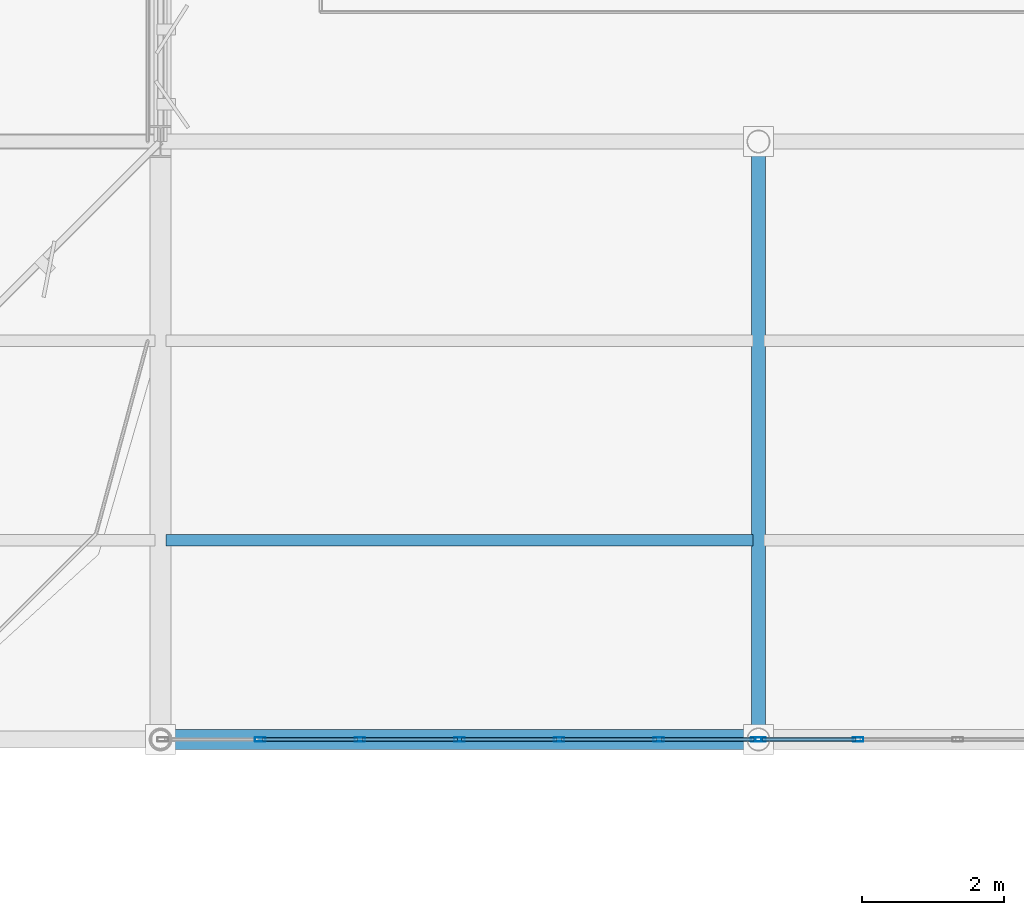
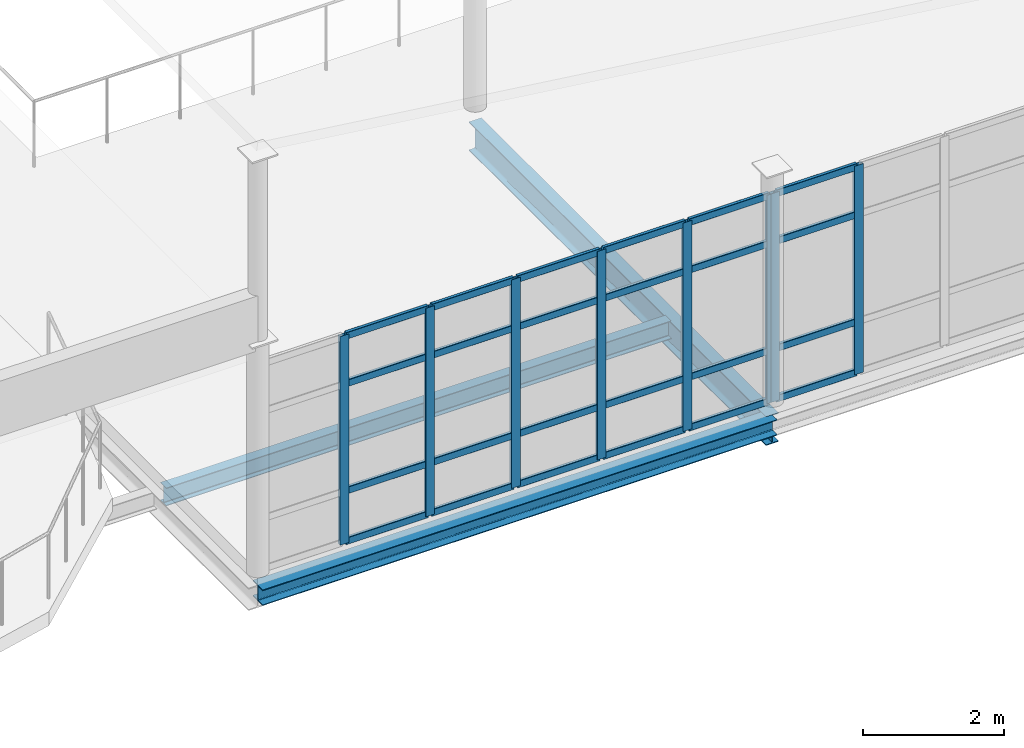
# One storey, part 36 of 65: 32 members, 3 beams, 2 elements without a shape of their own.
"""IFC4 building model written with IfcOpenShell, lengths in metres."""

import ifcopenshell
import ifcopenshell.guid

model = None  # the IFC model being written
_history = None  # IfcOwnerHistory: only IFC2X3 demands one
_inside = {}  # id of a spatial element -> (the spatial element, [elements in it])
_under = {}  # id of a project, library or spatial element -> (it, [spatial elements below it])
_declared = {}  # id of a project -> (the project, [libraries it declares])
_typed = {}  # id of a type object -> (the type object, [elements of that type])
_made_of = {}  # id of a material, layer set ... -> (it, [elements and type objects made of it])


def new_model(schema):
    """Start an empty IFC model of exactly this schema.

    Asked for "IFC4X3", IfcOpenShell would pick the latest addendum, in which some entities
    have other attributes; the version numbers below select the first issue.
    IFC2X3 requires an IfcOwnerHistory on every rooted entity: one is made here for all.
    """
    global model, _history
    if schema == "IFC4X3":
        model = ifcopenshell.file(schema_version=(4, 3, 0, 0))
    else:
        model = ifcopenshell.file(schema=schema)
    _inside.clear()
    _under.clear()
    _declared.clear()
    _typed.clear()
    _made_of.clear()
    _history = None
    if model.schema == "IFC2X3":
        org = make("IfcOrganization", Name="unknown")
        user = make(
            "IfcPersonAndOrganization",
            ThePerson=make("IfcPerson", FamilyName="unknown"),
            TheOrganization=org,
        )
        app = make(
            "IfcApplication",
            ApplicationDeveloper=org,
            Version="unknown",
            ApplicationFullName="unknown",
            ApplicationIdentifier="unknown",
        )
        _history = make(
            "IfcOwnerHistory",
            OwningUser=user,
            OwningApplication=app,
            ChangeAction="ADDED",
            CreationDate=0,
        )
    return model


def make(cls, **values):
    """One entity of the class cls with the attributes given. An attribute that is None is left unset."""
    return model.create_entity(
        cls, **{name: value for name, value in values.items() if value is not None}
    )


def rooted(cls, **values):
    """An entity with a GlobalId (a new one), such as an element, a storey or a relation."""
    return make(cls, GlobalId=ifcopenshell.guid.new(), OwnerHistory=_history, **values)


def si_unit(unit_type, name, prefix=None):
    """IfcSIUnit, for example si_unit("LENGTHUNIT", "METRE", prefix="MILLI")."""
    return make("IfcSIUnit", UnitType=unit_type, Prefix=prefix, Name=name)


def assignment(units):
    """IfcUnitAssignment: the units of a project."""
    return None if units is None else make("IfcUnitAssignment", Units=units)


def point(xyz):
    """IfcCartesianPoint."""
    return None if xyz is None else make("IfcCartesianPoint", Coordinates=xyz)


def direction(xyz):
    """IfcDirection."""
    return None if xyz is None else make("IfcDirection", DirectionRatios=xyz)


def frame(location, z_axis=None, x_axis=None):
    """IfcAxis2Placement3D, a coordinate frame: its origin and axes. An axis left out is left unset."""
    return make(
        "IfcAxis2Placement3D",
        Location=point(location),
        Axis=direction(z_axis),
        RefDirection=direction(x_axis),
    )


def frame_2d(location, x_axis=None):
    """IfcAxis2Placement2D, a coordinate frame in the plane: its origin and x axis."""
    return make(
        "IfcAxis2Placement2D", Location=point(location), RefDirection=direction(x_axis)
    )


def origin():
    """The frame at (0, 0, 0) with its axes left unset."""
    return frame((0.0, 0.0, 0.0))


def origin_2d():
    """The frame at (0, 0) in the plane with its x axis left unset."""
    return frame_2d((0.0, 0.0))


def place(relative_to, where):
    """IfcLocalPlacement: puts the frame where relative to a parent placement (None: the world)."""
    return make(
        "IfcLocalPlacement", PlacementRelTo=relative_to, RelativePlacement=where
    )


def context(
    kind, dimensions, precision=None, world=None, true_north=None, identifier=None
):
    """IfcGeometricRepresentationContext, for example the 3D "Model" context."""
    return make(
        "IfcGeometricRepresentationContext",
        ContextIdentifier=identifier,
        ContextType=kind,
        CoordinateSpaceDimension=dimensions,
        Precision=precision,
        WorldCoordinateSystem=world,
        TrueNorth=true_north,
    )


def subcontext(parent, identifier, kind, view, scale=None):
    """IfcGeometricRepresentationSubContext, for example "Body" below "Model"."""
    return make(
        "IfcGeometricRepresentationSubContext",
        ContextIdentifier=identifier,
        ContextType=kind,
        ParentContext=parent,
        TargetScale=scale,
        TargetView=view,
    )


def project(units=None, contexts=None):
    """IfcProject with its units and contexts."""
    return rooted(
        "IfcProject",
        Name="project",
        RepresentationContexts=contexts,
        UnitsInContext=assignment(units),
    )


def spatial(cls, under=None, at=None, **own):
    """A site, building, storey or space (cls), placed at a placement, below another one or the project."""
    s = rooted(cls, ObjectPlacement=at, **own)
    if under is not None:
        _under.setdefault(under.id(), (under, []))[1].append(s)
    return s


def profile(cls, at=None, kind="AREA", **sizes):
    """A parametric profile (cls). Its sizes go by their IFC names, for example OverallWidth=200.0."""
    return make(cls, ProfileType=kind, Position=at, **sizes)


def hollow_rectangle(**sizes):
    """IfcRectangleHollowProfileDef."""
    return profile("IfcRectangleHollowProfileDef", **sizes)


def i_section(**sizes):
    """IfcIShapeProfileDef."""
    return profile("IfcIShapeProfileDef", **sizes)


def extrude(swept, where, along, depth):
    """IfcExtrudedAreaSolid: the profile swept, set in the frame where, extruded along a direction by depth."""
    return make(
        "IfcExtrudedAreaSolid",
        SweptArea=swept,
        Position=where,
        ExtrudedDirection=direction(along),
        Depth=depth,
    )


def shape(context_of_items, identifier, shape_type, items):
    """IfcShapeRepresentation: the items that make up one representation, for example the "Body"."""
    return make(
        "IfcShapeRepresentation",
        ContextOfItems=context_of_items,
        RepresentationIdentifier=identifier,
        RepresentationType=shape_type,
        Items=items,
    )


def material(Name=None, Category=None):
    """IfcMaterial."""
    return make("IfcMaterial", Name=Name, Category=Category)


def layer(
    of_material, thickness, ventilated=None, Name=None, Category=None, Priority=None
):
    """IfcMaterialLayer: one layer of a wall or slab, of a material (None: an air gap)."""
    return make(
        "IfcMaterialLayer",
        Material=of_material,
        LayerThickness=thickness,
        IsVentilated=ventilated,
        Name=Name,
        Category=Category,
        Priority=Priority,
    )


def layer_set(layers, Name=None):
    """IfcMaterialLayerSet."""
    return make("IfcMaterialLayerSet", MaterialLayers=layers, LayerSetName=Name)


def material_profile(
    of_material, cross_section, Name=None, Category=None, Priority=None
):
    """IfcMaterialProfile: a cross section and its material."""
    return make(
        "IfcMaterialProfile",
        Name=Name,
        Material=of_material,
        Profile=cross_section,
        Priority=Priority,
        Category=Category,
    )


def profile_set(profiles, Name=None, composite=None):
    """IfcMaterialProfileSet."""
    return make(
        "IfcMaterialProfileSet",
        Name=Name,
        MaterialProfiles=profiles,
        CompositeProfile=composite,
    )


def made_of(thing, what):
    """Note that an element or type object is made of a material, layer set ...; save() writes the relation."""
    if what is not None:
        _made_of.setdefault(what.id(), (what, []))[1].append(thing)
    return thing


def type_object(cls, material=None, **own):
    """A type object (cls), such as IfcWallType, which elements share."""
    return made_of(rooted(cls, **own), material)


def element(
    cls,
    number,
    at=None,
    inside=None,
    cuts=None,
    type_object=None,
    material=None,
    context=None,
    identifier="Body",
    shape_type=None,
    held_by="IfcProductDefinitionShape",
    body=None,
    shapes=None,
    **own,
):
    """One element of the class cls, such as IfcWall. Its Tag is "e" and its number.

    at: its placement. inside: the storey or other place that contains it. cuts: it is an
    opening in that element (IfcRelVoidsElement). A single representation is given by context,
    identifier, shape_type and body (its items); several are given by shapes. held_by: the class
    of the entity that holds the representations. save() writes the other relations.
    """
    e = rooted(cls, Tag="e%d" % number, ObjectPlacement=at, **own)
    if body is not None:
        shapes = [shape(context, identifier, shape_type, body)]
    if shapes is not None:
        e.Representation = make(held_by, Representations=shapes)
    if inside is not None:
        _inside.setdefault(inside.id(), (inside, []))[1].append(e)
    if cuts is not None:
        rooted(
            "IfcRelVoidsElement", RelatingBuildingElement=cuts, RelatedOpeningElement=e
        )
    if type_object is not None:
        _typed.setdefault(type_object.id(), (type_object, []))[1].append(e)
    return made_of(e, material)


def aggregate(whole, parts):
    """IfcRelAggregates: a whole, such as a stair, and the parts it consists of."""
    return rooted("IfcRelAggregates", RelatingObject=whole, RelatedObjects=parts)


def save(model, path):
    """Write the relations noted so far, then the file.

    IfcRelAggregates (storeys below a building ...), IfcRelContainedInSpatialStructure (elements
    in a storey), IfcRelDefinesByType, IfcRelAssociatesMaterial and IfcRelDeclares: one each for
    every whole, place, type object, material and project.
    """
    for whole, parts in _under.values():
        aggregate(whole, parts)
    for where, things in _inside.values():
        rooted(
            "IfcRelContainedInSpatialStructure",
            RelatedElements=things,
            RelatingStructure=where,
        )
    for kind, things in _typed.values():
        rooted("IfcRelDefinesByType", RelatedObjects=things, RelatingType=kind)
    for what, things in _made_of.values():
        rooted("IfcRelAssociatesMaterial", RelatedObjects=things, RelatingMaterial=what)
    for by, libraries in _declared.values():
        rooted("IfcRelDeclares", RelatingContext=by, RelatedDefinitions=libraries)
    model.write(path)


model = new_model("IFC4")

# Units and contexts
model_context = context("Model", 3, precision=1e-05, world=origin(), true_north=direction((0.0, 1.0)))
body_context = subcontext(model_context, "Body", "Model", "MODEL_VIEW")
ifc_project = project(units=[si_unit("LENGTHUNIT", "METRE"), si_unit("AREAUNIT", "SQUARE_METRE"), si_unit("VOLUMEUNIT", "CUBIC_METRE"), si_unit("PLANEANGLEUNIT", "RADIAN"), si_unit("MASSUNIT", "GRAM", prefix="KILO")], contexts=[model_context])

# Site, building, storey
site_placement = place(None, origin())
site = spatial("IfcSite", under=ifc_project, at=site_placement, CompositionType="ELEMENT")
building_placement = place(site_placement, origin())
building = spatial("IfcBuilding", under=site, at=building_placement, Name="Qalvenar Corner Mobility Hub", CompositionType="ELEMENT")
storey_placement = place(building_placement, frame((0.0, 0.0, 17.39990234375)))
storey = spatial("IfcBuildingStorey", under=building, at=storey_placement, Name="L04", CompositionType="ELEMENT", Elevation=17.39990234375)

# Beams
ifc_material_1 = material(Name="Steel S355", Category="steel")
ifc_material_profile_1 = material_profile(ifc_material_1, i_section(OverallWidth=0.199951171875, OverallDepth=0.5, WebThickness=0.01025390625, FlangeThickness=0.01611328125, FilletRadius=0.02099609375, at=origin_2d()), Name="IPE500")
ifc_profile_set_1 = profile_set([ifc_material_profile_1], Name="Steel S355")
beam_type_1 = type_object("IfcBeamType", Name="BM-IPE500", PredefinedType="BEAM", material=ifc_profile_set_1)
beam_1_placement = place(storey_placement, frame((151.199951171875, 67.199951171875, -0.489990234375), z_axis=(0.0, 1.0, 0.0), x_axis=(-1.0, 0.0, 0.0)))
element("IfcBeam", 1, at=beam_1_placement, inside=storey, type_object=beam_type_1, Name="Primary Steel Girder GY-2907", PredefinedType="BEAM", context=body_context, shape_type="SweptSolid", body=[
    extrude(i_section(OverallWidth=0.199951171875, OverallDepth=0.5, WebThickness=0.01025390625, FlangeThickness=0.01611328125, FilletRadius=0.02099609375, at=origin_2d()), origin(), (0.0, 0.0, 1.0), 8.400146484375),
])
ifc_material_profile_2 = material_profile(ifc_material_1, i_section(OverallWidth=0.1650390625, OverallDepth=0.31005859375, WebThickness=0.005859375, FlangeThickness=0.009765625, FilletRadius=0.011962890625, at=origin_2d()), Name="W310x38.7")
ifc_profile_set_2 = profile_set([ifc_material_profile_2], Name="Steel S355")
beam_type_2 = type_object("IfcBeamType", Name="BM-JST310", PredefinedType="JOIST", material=ifc_profile_set_2)
beam_2_placement = place(storey_placement, frame((142.8779296875, 70.0, -0.39501953125), z_axis=(1.0, 0.0, 0.0), x_axis=(0.0, 1.0, 0.0)))
element("IfcBeam", 2, at=beam_2_placement, inside=storey, type_object=beam_type_2, Name="Composite Floor Joist J-2925", PredefinedType="JOIST", context=body_context, shape_type="SweptSolid", body=[
    extrude(i_section(OverallWidth=0.1650390625, OverallDepth=0.31005859375, WebThickness=0.005859375, FlangeThickness=0.009765625, FilletRadius=0.011962890625, at=origin_2d()), origin(), (0.0, 0.0, 1.0), 8.244140625),
])
ifc_material_profile_3 = material_profile(ifc_material_1, i_section(OverallWidth=0.280029296875, OverallDepth=0.27001953125, WebThickness=0.008056640625, FlangeThickness=0.012939453125, FilletRadius=0.02392578125, at=origin_2d()), Name="HEA280")
ifc_profile_set_3 = profile_set([ifc_material_profile_3], Name="Steel S355")
beam_type_3 = type_object("IfcBeamType", Name="BM-SPN280", PredefinedType="SPANDREL", material=ifc_profile_set_3)
beam_3_placement = place(storey_placement, frame((142.800048828125, 67.199951171875, -0.375), z_axis=(1.0, 0.0, 0.0), x_axis=(0.0, 1.0, 0.0)))
element("IfcBeam", 3, at=beam_3_placement, inside=storey, type_object=beam_type_3, Name="Primary Steel Girder GX-2888", PredefinedType="SPANDREL", context=body_context, shape_type="SweptSolid", body=[
    extrude(i_section(OverallWidth=0.280029296875, OverallDepth=0.27001953125, WebThickness=0.008056640625, FlangeThickness=0.012939453125, FilletRadius=0.02392578125, at=origin_2d()), origin(), (0.0, 0.0, 1.0), 8.39990234375),
])

# Curtain wall, members
ifc_material_2 = material(Name="Anodised Aluminium and Low-E Glazing", Category="aluminium")
ifc_layer = layer(ifc_material_2, 0.1201171875)
ifc_layer_set = layer_set([ifc_layer], Name="Anodised Aluminium and Low-E Glazing")
curtain_wall_type = type_object("IfcCurtainWallType", Name="CW-STR-42X40", PredefinedType="NOTDEFINED", material=ifc_layer_set)
curtain_wall_1_placement = place(storey_placement, origin())
curtain_wall_1 = element("IfcCurtainWall", 4, at=curtain_wall_1_placement, inside=storey, type_object=curtain_wall_type, Name="Glazed Curtain Wall CW-V2-L04-S0", PredefinedType="NOTDEFINED")
ifc_material_3 = material(Name="Anodised Aluminium 6063-T6", Category="aluminium")
ifc_material_profile_4 = material_profile(ifc_material_3, hollow_rectangle(XDim=0.06005859375, YDim=0.14990234375, WallThickness=0.00390625, InnerFilletRadius=0.00390625, OuterFilletRadius=0.008056640625, at=origin_2d()), Name="RHS150x60x4")
ifc_profile_set_4 = profile_set([ifc_material_profile_4], Name="Anodised Aluminium 6063-T6")
member_type_1 = type_object("IfcMemberType", Name="CW-MUL150", PredefinedType="MULLION", material=ifc_profile_set_4)
member_1_placement = place(storey_placement, frame((144.199951171875, 67.199951171875, 0.0), z_axis=(0.0, 0.0, 1.0), x_axis=(0.0, 1.0, 0.0)))
member_1 = element("IfcMember", 5, at=member_1_placement, type_object=member_type_1, Name="CW-10 mullion 2", PredefinedType="MULLION", context=body_context, shape_type="SweptSolid", body=[
    extrude(hollow_rectangle(XDim=0.06005859375, YDim=0.14990234375, WallThickness=0.00390625, InnerFilletRadius=0.00390625, OuterFilletRadius=0.008056640625, at=origin_2d()), origin(), (0.0, 0.0, 1.0), 3.60009765625),
])
member_2_placement = place(storey_placement, frame((145.60009765625, 67.199951171875, 0.0), z_axis=(0.0, 0.0, 1.0), x_axis=(0.0, 1.0, 0.0)))
member_2 = element("IfcMember", 6, at=member_2_placement, type_object=member_type_1, Name="CW-10 mullion 3", PredefinedType="MULLION", context=body_context, shape_type="SweptSolid", body=[
    extrude(hollow_rectangle(XDim=0.06005859375, YDim=0.14990234375, WallThickness=0.00390625, InnerFilletRadius=0.00390625, OuterFilletRadius=0.008056640625, at=origin_2d()), origin(), (0.0, 0.0, 1.0), 3.60009765625),
])
member_3_placement = place(storey_placement, frame((147.0, 67.199951171875, 0.0), z_axis=(0.0, 0.0, 1.0), x_axis=(0.0, 1.0, 0.0)))
member_3 = element("IfcMember", 7, at=member_3_placement, type_object=member_type_1, Name="CW-10 mullion 4", PredefinedType="MULLION", context=body_context, shape_type="SweptSolid", body=[
    extrude(hollow_rectangle(XDim=0.06005859375, YDim=0.14990234375, WallThickness=0.00390625, InnerFilletRadius=0.00390625, OuterFilletRadius=0.008056640625, at=origin_2d()), origin(), (0.0, 0.0, 1.0), 3.60009765625),
])
member_4_placement = place(storey_placement, frame((148.39990234375, 67.199951171875, 0.0), z_axis=(0.0, 0.0, 1.0), x_axis=(0.0, 1.0, 0.0)))
member_4 = element("IfcMember", 8, at=member_4_placement, type_object=member_type_1, Name="CW-10 mullion 5", PredefinedType="MULLION", context=body_context, shape_type="SweptSolid", body=[
    extrude(hollow_rectangle(XDim=0.06005859375, YDim=0.14990234375, WallThickness=0.00390625, InnerFilletRadius=0.00390625, OuterFilletRadius=0.008056640625, at=origin_2d()), origin(), (0.0, 0.0, 1.0), 3.60009765625),
])
member_5_placement = place(storey_placement, frame((149.800048828125, 67.199951171875, 0.0), z_axis=(0.0, 0.0, 1.0), x_axis=(0.0, 1.0, 0.0)))
member_5 = element("IfcMember", 9, at=member_5_placement, type_object=member_type_1, Name="CW-10 mullion 6", PredefinedType="MULLION", context=body_context, shape_type="SweptSolid", body=[
    extrude(hollow_rectangle(XDim=0.06005859375, YDim=0.14990234375, WallThickness=0.00390625, InnerFilletRadius=0.00390625, OuterFilletRadius=0.008056640625, at=origin_2d()), origin(), (0.0, 0.0, 1.0), 3.60009765625),
])
member_6_placement = place(storey_placement, frame((151.169921875, 67.199951171875, 0.0), z_axis=(0.0, 0.0, 1.0), x_axis=(0.0, 1.0, 0.0)))
member_6 = element("IfcMember", 10, at=member_6_placement, type_object=member_type_1, Name="CW-10 mullion 7", PredefinedType="MULLION", context=body_context, shape_type="SweptSolid", body=[
    extrude(hollow_rectangle(XDim=0.06005859375, YDim=0.14990234375, WallThickness=0.00390625, InnerFilletRadius=0.00390625, OuterFilletRadius=0.008056640625, at=origin_2d()), origin(), (0.0, 0.0, 1.0), 3.60009765625),
])

curtain_wall_2_placement = place(storey_placement, origin())
curtain_wall_2 = element("IfcCurtainWall", 11, at=curtain_wall_2_placement, inside=storey, type_object=curtain_wall_type, Name="Glazed Curtain Wall CW-V2-L04-S1", PredefinedType="NOTDEFINED")
member_7_placement = place(storey_placement, frame((151.22998046875, 67.199951171875, 0.0), z_axis=(0.0, 0.0, 1.0), x_axis=(0.0, 1.0, 0.0)))
member_7 = element("IfcMember", 12, at=member_7_placement, type_object=member_type_1, Name="CW-10 mullion 1", PredefinedType="MULLION", context=body_context, shape_type="SweptSolid", body=[
    extrude(hollow_rectangle(XDim=0.06005859375, YDim=0.14990234375, WallThickness=0.00390625, InnerFilletRadius=0.00390625, OuterFilletRadius=0.008056640625, at=origin_2d()), origin(), (0.0, 0.0, 1.0), 3.60009765625),
])
member_8_placement = place(storey_placement, frame((152.60009765625, 67.199951171875, 0.0), z_axis=(0.0, 0.0, 1.0), x_axis=(0.0, 1.0, 0.0)))
member_8 = element("IfcMember", 13, at=member_8_placement, type_object=member_type_1, Name="CW-10 mullion 2", PredefinedType="MULLION", context=body_context, shape_type="SweptSolid", body=[
    extrude(hollow_rectangle(XDim=0.06005859375, YDim=0.14990234375, WallThickness=0.00390625, InnerFilletRadius=0.00390625, OuterFilletRadius=0.008056640625, at=origin_2d()), origin(), (0.0, 0.0, 1.0), 3.60009765625),
])

# Member
ifc_material_profile_5 = material_profile(ifc_material_3, hollow_rectangle(XDim=0.054931640625, YDim=0.1201171875, WallThickness=0.00341796875, InnerFilletRadius=0.00341796875, OuterFilletRadius=0.007080078125, at=origin_2d()), Name="RHS120x55x3.5")
ifc_profile_set_5 = profile_set([ifc_material_profile_5], Name="Anodised Aluminium 6063-T6")
member_type_2 = type_object("IfcMemberType", Name="CW-TRN120", PredefinedType="USERDEFINED", material=ifc_profile_set_5)
member_9_placement = place(storey_placement, frame((144.22998046875, 67.199951171875, 0.027587890625), z_axis=(1.0, 0.0, 0.0), x_axis=(0.0, 1.0, 0.0)))
member_9 = element("IfcMember", 14, at=member_9_placement, type_object=member_type_2, Name="CW-10 transom 2.1", ObjectType="TRANSOM", PredefinedType="USERDEFINED", context=body_context, shape_type="SweptSolid", body=[
    extrude(hollow_rectangle(XDim=0.054931640625, YDim=0.1201171875, WallThickness=0.00341796875, InnerFilletRadius=0.00341796875, OuterFilletRadius=0.007080078125, at=origin_2d()), origin(), (0.0, 0.0, 1.0), 1.340087890625),
])

member_10_placement = place(storey_placement, frame((144.22998046875, 67.199951171875, 0.900146484375), z_axis=(1.0, 0.0, 0.0), x_axis=(0.0, 1.0, 0.0)))
member_10 = element("IfcMember", 15, at=member_10_placement, type_object=member_type_2, Name="CW-10 transom 2.2", ObjectType="TRANSOM", PredefinedType="USERDEFINED", context=body_context, shape_type="SweptSolid", body=[
    extrude(hollow_rectangle(XDim=0.054931640625, YDim=0.1201171875, WallThickness=0.00341796875, InnerFilletRadius=0.00341796875, OuterFilletRadius=0.007080078125, at=origin_2d()), origin(), (0.0, 0.0, 1.0), 1.340087890625),
])

member_11_placement = place(storey_placement, frame((144.22998046875, 67.199951171875, 2.75), z_axis=(1.0, 0.0, 0.0), x_axis=(0.0, 1.0, 0.0)))
member_11 = element("IfcMember", 16, at=member_11_placement, type_object=member_type_2, Name="CW-10 transom 2.3", ObjectType="TRANSOM", PredefinedType="USERDEFINED", context=body_context, shape_type="SweptSolid", body=[
    extrude(hollow_rectangle(XDim=0.054931640625, YDim=0.1201171875, WallThickness=0.00341796875, InnerFilletRadius=0.00341796875, OuterFilletRadius=0.007080078125, at=origin_2d()), origin(), (0.0, 0.0, 1.0), 1.340087890625),
])

member_12_placement = place(storey_placement, frame((144.22998046875, 67.199951171875, 3.572509765625), z_axis=(1.0, 0.0, 0.0), x_axis=(0.0, 1.0, 0.0)))
member_12 = element("IfcMember", 17, at=member_12_placement, type_object=member_type_2, Name="CW-10 transom 2.4", ObjectType="TRANSOM", PredefinedType="USERDEFINED", context=body_context, shape_type="SweptSolid", body=[
    extrude(hollow_rectangle(XDim=0.054931640625, YDim=0.1201171875, WallThickness=0.00341796875, InnerFilletRadius=0.00341796875, OuterFilletRadius=0.007080078125, at=origin_2d()), origin(), (0.0, 0.0, 1.0), 1.340087890625),
])

member_13_placement = place(storey_placement, frame((145.6298828125, 67.199951171875, 0.027587890625), z_axis=(1.0, 0.0, 0.0), x_axis=(0.0, 1.0, 0.0)))
member_13 = element("IfcMember", 18, at=member_13_placement, type_object=member_type_2, Name="CW-10 transom 3.1", ObjectType="TRANSOM", PredefinedType="USERDEFINED", context=body_context, shape_type="SweptSolid", body=[
    extrude(hollow_rectangle(XDim=0.054931640625, YDim=0.1201171875, WallThickness=0.00341796875, InnerFilletRadius=0.00341796875, OuterFilletRadius=0.007080078125, at=origin_2d()), origin(), (0.0, 0.0, 1.0), 1.340087890625),
])

member_14_placement = place(storey_placement, frame((145.6298828125, 67.199951171875, 0.900146484375), z_axis=(1.0, 0.0, 0.0), x_axis=(0.0, 1.0, 0.0)))
member_14 = element("IfcMember", 19, at=member_14_placement, type_object=member_type_2, Name="CW-10 transom 3.2", ObjectType="TRANSOM", PredefinedType="USERDEFINED", context=body_context, shape_type="SweptSolid", body=[
    extrude(hollow_rectangle(XDim=0.054931640625, YDim=0.1201171875, WallThickness=0.00341796875, InnerFilletRadius=0.00341796875, OuterFilletRadius=0.007080078125, at=origin_2d()), origin(), (0.0, 0.0, 1.0), 1.340087890625),
])

member_15_placement = place(storey_placement, frame((145.6298828125, 67.199951171875, 2.75), z_axis=(1.0, 0.0, 0.0), x_axis=(0.0, 1.0, 0.0)))
member_15 = element("IfcMember", 20, at=member_15_placement, type_object=member_type_2, Name="CW-10 transom 3.3", ObjectType="TRANSOM", PredefinedType="USERDEFINED", context=body_context, shape_type="SweptSolid", body=[
    extrude(hollow_rectangle(XDim=0.054931640625, YDim=0.1201171875, WallThickness=0.00341796875, InnerFilletRadius=0.00341796875, OuterFilletRadius=0.007080078125, at=origin_2d()), origin(), (0.0, 0.0, 1.0), 1.340087890625),
])

member_16_placement = place(storey_placement, frame((145.6298828125, 67.199951171875, 3.572509765625), z_axis=(1.0, 0.0, 0.0), x_axis=(0.0, 1.0, 0.0)))
member_16 = element("IfcMember", 21, at=member_16_placement, type_object=member_type_2, Name="CW-10 transom 3.4", ObjectType="TRANSOM", PredefinedType="USERDEFINED", context=body_context, shape_type="SweptSolid", body=[
    extrude(hollow_rectangle(XDim=0.054931640625, YDim=0.1201171875, WallThickness=0.00341796875, InnerFilletRadius=0.00341796875, OuterFilletRadius=0.007080078125, at=origin_2d()), origin(), (0.0, 0.0, 1.0), 1.340087890625),
])

member_17_placement = place(storey_placement, frame((147.030029296875, 67.199951171875, 0.027587890625), z_axis=(1.0, 0.0, 0.0), x_axis=(0.0, 1.0, 0.0)))
member_17 = element("IfcMember", 22, at=member_17_placement, type_object=member_type_2, Name="CW-10 transom 4.1", ObjectType="TRANSOM", PredefinedType="USERDEFINED", context=body_context, shape_type="SweptSolid", body=[
    extrude(hollow_rectangle(XDim=0.054931640625, YDim=0.1201171875, WallThickness=0.00341796875, InnerFilletRadius=0.00341796875, OuterFilletRadius=0.007080078125, at=origin_2d()), origin(), (0.0, 0.0, 1.0), 1.340087890625),
])

member_18_placement = place(storey_placement, frame((147.030029296875, 67.199951171875, 0.900146484375), z_axis=(1.0, 0.0, 0.0), x_axis=(0.0, 1.0, 0.0)))
member_18 = element("IfcMember", 23, at=member_18_placement, type_object=member_type_2, Name="CW-10 transom 4.2", ObjectType="TRANSOM", PredefinedType="USERDEFINED", context=body_context, shape_type="SweptSolid", body=[
    extrude(hollow_rectangle(XDim=0.054931640625, YDim=0.1201171875, WallThickness=0.00341796875, InnerFilletRadius=0.00341796875, OuterFilletRadius=0.007080078125, at=origin_2d()), origin(), (0.0, 0.0, 1.0), 1.340087890625),
])

member_19_placement = place(storey_placement, frame((147.030029296875, 67.199951171875, 2.75), z_axis=(1.0, 0.0, 0.0), x_axis=(0.0, 1.0, 0.0)))
member_19 = element("IfcMember", 24, at=member_19_placement, type_object=member_type_2, Name="CW-10 transom 4.3", ObjectType="TRANSOM", PredefinedType="USERDEFINED", context=body_context, shape_type="SweptSolid", body=[
    extrude(hollow_rectangle(XDim=0.054931640625, YDim=0.1201171875, WallThickness=0.00341796875, InnerFilletRadius=0.00341796875, OuterFilletRadius=0.007080078125, at=origin_2d()), origin(), (0.0, 0.0, 1.0), 1.340087890625),
])

member_20_placement = place(storey_placement, frame((147.030029296875, 67.199951171875, 3.572509765625), z_axis=(1.0, 0.0, 0.0), x_axis=(0.0, 1.0, 0.0)))
member_20 = element("IfcMember", 25, at=member_20_placement, type_object=member_type_2, Name="CW-10 transom 4.4", ObjectType="TRANSOM", PredefinedType="USERDEFINED", context=body_context, shape_type="SweptSolid", body=[
    extrude(hollow_rectangle(XDim=0.054931640625, YDim=0.1201171875, WallThickness=0.00341796875, InnerFilletRadius=0.00341796875, OuterFilletRadius=0.007080078125, at=origin_2d()), origin(), (0.0, 0.0, 1.0), 1.340087890625),
])

member_21_placement = place(storey_placement, frame((148.429931640625, 67.199951171875, 0.027587890625), z_axis=(1.0, 0.0, 0.0), x_axis=(0.0, 1.0, 0.0)))
member_21 = element("IfcMember", 26, at=member_21_placement, type_object=member_type_2, Name="CW-10 transom 5.1", ObjectType="TRANSOM", PredefinedType="USERDEFINED", context=body_context, shape_type="SweptSolid", body=[
    extrude(hollow_rectangle(XDim=0.054931640625, YDim=0.1201171875, WallThickness=0.00341796875, InnerFilletRadius=0.00341796875, OuterFilletRadius=0.007080078125, at=origin_2d()), origin(), (0.0, 0.0, 1.0), 1.340087890625),
])

member_22_placement = place(storey_placement, frame((148.429931640625, 67.199951171875, 0.900146484375), z_axis=(1.0, 0.0, 0.0), x_axis=(0.0, 1.0, 0.0)))
member_22 = element("IfcMember", 27, at=member_22_placement, type_object=member_type_2, Name="CW-10 transom 5.2", ObjectType="TRANSOM", PredefinedType="USERDEFINED", context=body_context, shape_type="SweptSolid", body=[
    extrude(hollow_rectangle(XDim=0.054931640625, YDim=0.1201171875, WallThickness=0.00341796875, InnerFilletRadius=0.00341796875, OuterFilletRadius=0.007080078125, at=origin_2d()), origin(), (0.0, 0.0, 1.0), 1.340087890625),
])

member_23_placement = place(storey_placement, frame((148.429931640625, 67.199951171875, 2.75), z_axis=(1.0, 0.0, 0.0), x_axis=(0.0, 1.0, 0.0)))
member_23 = element("IfcMember", 28, at=member_23_placement, type_object=member_type_2, Name="CW-10 transom 5.3", ObjectType="TRANSOM", PredefinedType="USERDEFINED", context=body_context, shape_type="SweptSolid", body=[
    extrude(hollow_rectangle(XDim=0.054931640625, YDim=0.1201171875, WallThickness=0.00341796875, InnerFilletRadius=0.00341796875, OuterFilletRadius=0.007080078125, at=origin_2d()), origin(), (0.0, 0.0, 1.0), 1.340087890625),
])

member_24_placement = place(storey_placement, frame((148.429931640625, 67.199951171875, 3.572509765625), z_axis=(1.0, 0.0, 0.0), x_axis=(0.0, 1.0, 0.0)))
member_24 = element("IfcMember", 29, at=member_24_placement, type_object=member_type_2, Name="CW-10 transom 5.4", ObjectType="TRANSOM", PredefinedType="USERDEFINED", context=body_context, shape_type="SweptSolid", body=[
    extrude(hollow_rectangle(XDim=0.054931640625, YDim=0.1201171875, WallThickness=0.00341796875, InnerFilletRadius=0.00341796875, OuterFilletRadius=0.007080078125, at=origin_2d()), origin(), (0.0, 0.0, 1.0), 1.340087890625),
])

member_25_placement = place(storey_placement, frame((149.830078125, 67.199951171875, 0.027587890625), z_axis=(1.0, 0.0, 0.0), x_axis=(0.0, 1.0, 0.0)))
member_25 = element("IfcMember", 30, at=member_25_placement, type_object=member_type_2, Name="CW-10 transom 6.1", ObjectType="TRANSOM", PredefinedType="USERDEFINED", context=body_context, shape_type="SweptSolid", body=[
    extrude(hollow_rectangle(XDim=0.054931640625, YDim=0.1201171875, WallThickness=0.00341796875, InnerFilletRadius=0.00341796875, OuterFilletRadius=0.007080078125, at=origin_2d()), origin(), (0.0, 0.0, 1.0), 1.309814453125),
])

member_26_placement = place(storey_placement, frame((149.830078125, 67.199951171875, 0.900146484375), z_axis=(1.0, 0.0, 0.0), x_axis=(0.0, 1.0, 0.0)))
member_26 = element("IfcMember", 31, at=member_26_placement, type_object=member_type_2, Name="CW-10 transom 6.2", ObjectType="TRANSOM", PredefinedType="USERDEFINED", context=body_context, shape_type="SweptSolid", body=[
    extrude(hollow_rectangle(XDim=0.054931640625, YDim=0.1201171875, WallThickness=0.00341796875, InnerFilletRadius=0.00341796875, OuterFilletRadius=0.007080078125, at=origin_2d()), origin(), (0.0, 0.0, 1.0), 1.309814453125),
])

member_27_placement = place(storey_placement, frame((149.830078125, 67.199951171875, 2.75), z_axis=(1.0, 0.0, 0.0), x_axis=(0.0, 1.0, 0.0)))
member_27 = element("IfcMember", 32, at=member_27_placement, type_object=member_type_2, Name="CW-10 transom 6.3", ObjectType="TRANSOM", PredefinedType="USERDEFINED", context=body_context, shape_type="SweptSolid", body=[
    extrude(hollow_rectangle(XDim=0.054931640625, YDim=0.1201171875, WallThickness=0.00341796875, InnerFilletRadius=0.00341796875, OuterFilletRadius=0.007080078125, at=origin_2d()), origin(), (0.0, 0.0, 1.0), 1.309814453125),
])

member_28_placement = place(storey_placement, frame((149.830078125, 67.199951171875, 3.572509765625), z_axis=(1.0, 0.0, 0.0), x_axis=(0.0, 1.0, 0.0)))
member_28 = element("IfcMember", 33, at=member_28_placement, type_object=member_type_2, Name="CW-10 transom 6.4", ObjectType="TRANSOM", PredefinedType="USERDEFINED", context=body_context, shape_type="SweptSolid", body=[
    extrude(hollow_rectangle(XDim=0.054931640625, YDim=0.1201171875, WallThickness=0.00341796875, InnerFilletRadius=0.00341796875, OuterFilletRadius=0.007080078125, at=origin_2d()), origin(), (0.0, 0.0, 1.0), 1.309814453125),
])

aggregate(curtain_wall_1, [member_1, member_2, member_3, member_4, member_5, member_6, member_9, member_10, member_11, member_12, member_13, member_14, member_15, member_16, member_17, member_18, member_19, member_20, member_21, member_22, member_23, member_24, member_25, member_26, member_27, member_28])

member_29_placement = place(storey_placement, frame((151.260009765625, 67.199951171875, 0.027587890625), z_axis=(1.0, 0.0, 0.0), x_axis=(0.0, 1.0, 0.0)))
member_29 = element("IfcMember", 34, at=member_29_placement, type_object=member_type_2, Name="CW-10 transom 1.1", ObjectType="TRANSOM", PredefinedType="USERDEFINED", context=body_context, shape_type="SweptSolid", body=[
    extrude(hollow_rectangle(XDim=0.054931640625, YDim=0.1201171875, WallThickness=0.00341796875, InnerFilletRadius=0.00341796875, OuterFilletRadius=0.007080078125, at=origin_2d()), origin(), (0.0, 0.0, 1.0), 1.31005859375),
])

member_30_placement = place(storey_placement, frame((151.260009765625, 67.199951171875, 0.900146484375), z_axis=(1.0, 0.0, 0.0), x_axis=(0.0, 1.0, 0.0)))
member_30 = element("IfcMember", 35, at=member_30_placement, type_object=member_type_2, Name="CW-10 transom 1.2", ObjectType="TRANSOM", PredefinedType="USERDEFINED", context=body_context, shape_type="SweptSolid", body=[
    extrude(hollow_rectangle(XDim=0.054931640625, YDim=0.1201171875, WallThickness=0.00341796875, InnerFilletRadius=0.00341796875, OuterFilletRadius=0.007080078125, at=origin_2d()), origin(), (0.0, 0.0, 1.0), 1.31005859375),
])

member_31_placement = place(storey_placement, frame((151.260009765625, 67.199951171875, 2.75), z_axis=(1.0, 0.0, 0.0), x_axis=(0.0, 1.0, 0.0)))
member_31 = element("IfcMember", 36, at=member_31_placement, type_object=member_type_2, Name="CW-10 transom 1.3", ObjectType="TRANSOM", PredefinedType="USERDEFINED", context=body_context, shape_type="SweptSolid", body=[
    extrude(hollow_rectangle(XDim=0.054931640625, YDim=0.1201171875, WallThickness=0.00341796875, InnerFilletRadius=0.00341796875, OuterFilletRadius=0.007080078125, at=origin_2d()), origin(), (0.0, 0.0, 1.0), 1.31005859375),
])

member_32_placement = place(storey_placement, frame((151.260009765625, 67.199951171875, 3.572509765625), z_axis=(1.0, 0.0, 0.0), x_axis=(0.0, 1.0, 0.0)))
member_32 = element("IfcMember", 37, at=member_32_placement, type_object=member_type_2, Name="CW-10 transom 1.4", ObjectType="TRANSOM", PredefinedType="USERDEFINED", context=body_context, shape_type="SweptSolid", body=[
    extrude(hollow_rectangle(XDim=0.054931640625, YDim=0.1201171875, WallThickness=0.00341796875, InnerFilletRadius=0.00341796875, OuterFilletRadius=0.007080078125, at=origin_2d()), origin(), (0.0, 0.0, 1.0), 1.31005859375),
])

aggregate(curtain_wall_2, [member_7, member_8, member_29, member_30, member_31, member_32])

save(model, "model.ifc")
